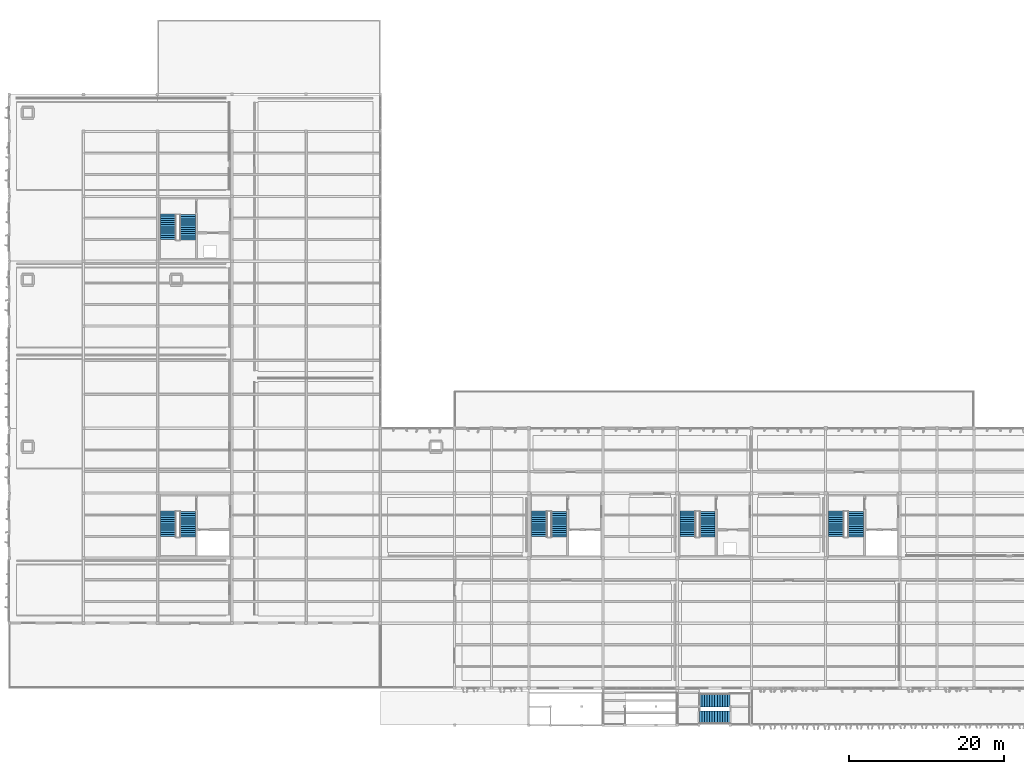
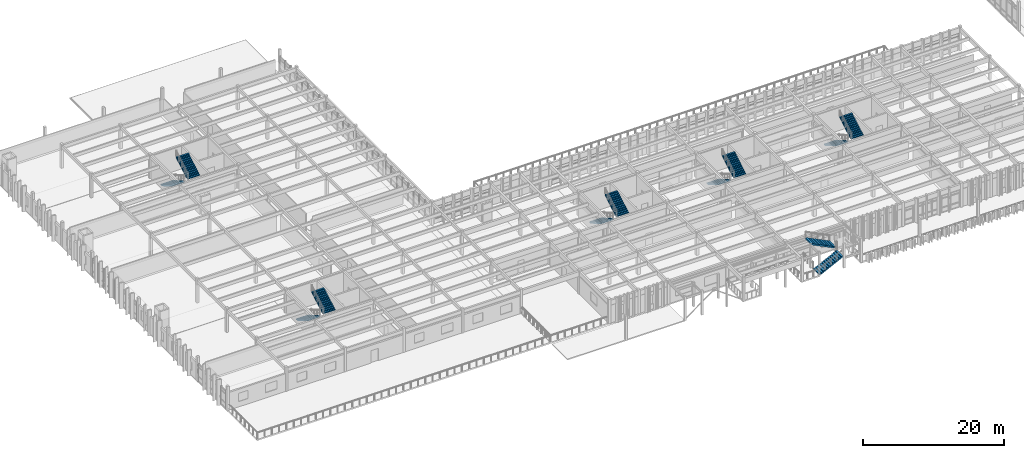
# One storey, part 48 of 61: 12 stair flights, 6 elements without a shape of their own.
"""IFC4 building model written with IfcOpenShell, lengths in metres."""

from ifc_helpers import new_model, si_unit, direction, frame, origin, place, context, subcontext, project, spatial, polyline, outline, extrude, material, type_object, element, aggregate, save


model = new_model("IFC4")

# Units and contexts
model_context = context("Model", 3, precision=1e-05, world=origin(), true_north=direction((0.0, 1.0)))
body_context = subcontext(model_context, "Body", "Model", "MODEL_VIEW")
ifc_project = project(units=[si_unit("LENGTHUNIT", "METRE"), si_unit("AREAUNIT", "SQUARE_METRE"), si_unit("VOLUMEUNIT", "CUBIC_METRE"), si_unit("PLANEANGLEUNIT", "RADIAN"), si_unit("MASSUNIT", "GRAM", prefix="KILO")], contexts=[model_context])

# Site, building, storey
site_placement = place(None, origin())
site = spatial("IfcSite", under=ifc_project, at=site_placement, CompositionType="ELEMENT")
building_placement = place(site_placement, origin())
building = spatial("IfcBuilding", under=site, at=building_placement, Name="Kolvemor Railside Polytechnic", CompositionType="ELEMENT")
storey_placement = place(building_placement, frame((0.0, 0.0, 10.199951171875)))
storey = spatial("IfcBuildingStorey", under=building, at=storey_placement, Name="L02", CompositionType="ELEMENT", Elevation=10.199951171875)

# Stair, stair flights
ifc_material_1 = material(Name="Concrete C40/50", Category="concrete")
stair_type_1 = type_object("IfcStairType", Name="STR-CORE-420", PredefinedType="HALF_TURN_STAIR", material=ifc_material_1)
stair_1_placement = place(storey_placement, origin())
stair_1 = element("IfcStair", 1, at=stair_1_placement, inside=storey, type_object=stair_type_1, Name="Core Stair ST-1 (L02 to L03)", PredefinedType="HALF_TURN_STAIR")
ifc_material_2 = material(Name="Concrete C40/50", Category="concrete")
stair_flight_type_1 = type_object("IfcStairFlightType", Name="SFL-RC-200", PredefinedType="STRAIGHT", material=ifc_material_2)
stair_flight_1_placement = place(storey_placement, frame((68.580078125, 27.699951171875, 0.0), z_axis=(0.0, 0.0, 1.0), x_axis=(0.0, -1.0, 0.0)))
stair_flight_1 = element("IfcStairFlight", 2, at=stair_flight_1_placement, type_object=stair_flight_type_1, Name="ST-1-L02 flight 1", NumberOfRisers=13, NumberOfTreads=12, PredefinedType="STRAIGHT", RiserHeight=0.161538462, TreadLength=0.275, context=body_context, shape_type="SweptSolid", body=[
    extrude(outline(polyline([(0.0, 0.0), (0.0, 0.16162109375), (0.27490234375, 0.16162109375), (0.27490234375, 0.322998046875), (0.550048828125, 0.322998046875), (0.550048828125, 0.484619140625), (0.824951171875, 0.484619140625), (0.824951171875, 0.646240234375), (1.10009765625, 0.646240234375), (1.10009765625, 0.8076171875), (1.375, 0.8076171875), (1.375, 0.96923828125), (1.64990234375, 0.96923828125), (1.64990234375, 1.130859375), (1.925048828125, 1.130859375), (1.925048828125, 1.292236328125), (2.199951171875, 1.292236328125), (2.199951171875, 1.453857421875), (2.47509765625, 1.453857421875), (2.47509765625, 1.615478515625), (2.75, 1.615478515625), (2.75, 1.77685546875), (3.02490234375, 1.77685546875), (3.02490234375, 1.9384765625), (3.300048828125, 1.9384765625), (3.300048828125, 2.10009765625), (3.300048828125, 1.729736328125), (0.355224609375, 0.0), (0.0, 0.0)])), frame((0.0, 1.0, 0.0), z_axis=(0.0, -1.0, 0.0), x_axis=(1.0, 0.0, 0.0)), (0.0, 0.0, 1.0), 2.0),
])
stair_flight_2_placement = place(storey_placement, frame((71.080078125, 24.340087890625, 2.10009765625), z_axis=(0.0, 0.0, 1.0), x_axis=(0.0, 1.0, 0.0)))
stair_flight_2 = element("IfcStairFlight", 3, at=stair_flight_2_placement, type_object=stair_flight_type_1, Name="ST-1-L02 flight 2", NumberOfRisers=13, NumberOfTreads=12, PredefinedType="STRAIGHT", RiserHeight=0.161538462, TreadLength=0.275, context=body_context, shape_type="SweptSolid", body=[
    extrude(outline(polyline([(0.0, 0.0), (0.0, 0.16162109375), (0.27490234375, 0.16162109375), (0.27490234375, 0.322998046875), (0.550048828125, 0.322998046875), (0.550048828125, 0.484619140625), (0.824951171875, 0.484619140625), (0.824951171875, 0.646240234375), (1.10009765625, 0.646240234375), (1.10009765625, 0.8076171875), (1.375, 0.8076171875), (1.375, 0.96923828125), (1.64990234375, 0.96923828125), (1.64990234375, 1.130859375), (1.925048828125, 1.130859375), (1.925048828125, 1.292236328125), (2.199951171875, 1.292236328125), (2.199951171875, 1.453857421875), (2.47509765625, 1.453857421875), (2.47509765625, 1.615478515625), (2.75, 1.615478515625), (2.75, 1.77685546875), (3.02490234375, 1.77685546875), (3.02490234375, 1.9384765625), (3.300048828125, 1.9384765625), (3.300048828125, 2.10009765625), (3.300048828125, 1.729736328125), (0.355224609375, 0.0), (0.0, 0.0)])), frame((0.0, 1.0, 0.0), z_axis=(0.0, -1.0, 0.0), x_axis=(1.0, 0.0, 0.0)), (0.0, 0.0, 1.0), 2.0),
])
aggregate(stair_1, [stair_flight_1, stair_flight_2])

stair_2_placement = place(storey_placement, origin())
stair_2 = element("IfcStair", 4, at=stair_2_placement, inside=storey, type_object=stair_type_1, Name="Core Stair ST-2 (L02 to L03)", PredefinedType="HALF_TURN_STAIR")
stair_flight_3_placement = place(storey_placement, frame((106.97998046875, 27.699951171875, 0.0), z_axis=(0.0, 0.0, 1.0), x_axis=(0.0, -1.0, 0.0)))
stair_flight_3 = element("IfcStairFlight", 5, at=stair_flight_3_placement, type_object=stair_flight_type_1, Name="ST-2-L02 flight 1", NumberOfRisers=13, NumberOfTreads=12, PredefinedType="STRAIGHT", RiserHeight=0.161538462, TreadLength=0.275, context=body_context, shape_type="SweptSolid", body=[
    extrude(outline(polyline([(0.0, 0.0), (0.0, 0.16162109375), (0.27490234375, 0.16162109375), (0.27490234375, 0.322998046875), (0.550048828125, 0.322998046875), (0.550048828125, 0.484619140625), (0.824951171875, 0.484619140625), (0.824951171875, 0.646240234375), (1.10009765625, 0.646240234375), (1.10009765625, 0.8076171875), (1.375, 0.8076171875), (1.375, 0.96923828125), (1.64990234375, 0.96923828125), (1.64990234375, 1.130859375), (1.925048828125, 1.130859375), (1.925048828125, 1.292236328125), (2.199951171875, 1.292236328125), (2.199951171875, 1.453857421875), (2.47509765625, 1.453857421875), (2.47509765625, 1.615478515625), (2.75, 1.615478515625), (2.75, 1.77685546875), (3.02490234375, 1.77685546875), (3.02490234375, 1.9384765625), (3.300048828125, 1.9384765625), (3.300048828125, 2.10009765625), (3.300048828125, 1.729736328125), (0.355224609375, 0.0), (0.0, 0.0)])), frame((0.0, 1.0, 0.0), z_axis=(0.0, -1.0, 0.0), x_axis=(1.0, 0.0, 0.0)), (0.0, 0.0, 1.0), 2.0),
])
stair_flight_4_placement = place(storey_placement, frame((109.47998046875, 24.340087890625, 2.10009765625), z_axis=(0.0, 0.0, 1.0), x_axis=(0.0, 1.0, 0.0)))
stair_flight_4 = element("IfcStairFlight", 6, at=stair_flight_4_placement, type_object=stair_flight_type_1, Name="ST-2-L02 flight 2", NumberOfRisers=13, NumberOfTreads=12, PredefinedType="STRAIGHT", RiserHeight=0.161538462, TreadLength=0.275, context=body_context, shape_type="SweptSolid", body=[
    extrude(outline(polyline([(0.0, 0.0), (0.0, 0.16162109375), (0.27490234375, 0.16162109375), (0.27490234375, 0.322998046875), (0.550048828125, 0.322998046875), (0.550048828125, 0.484619140625), (0.824951171875, 0.484619140625), (0.824951171875, 0.646240234375), (1.10009765625, 0.646240234375), (1.10009765625, 0.8076171875), (1.375, 0.8076171875), (1.375, 0.96923828125), (1.64990234375, 0.96923828125), (1.64990234375, 1.130859375), (1.925048828125, 1.130859375), (1.925048828125, 1.292236328125), (2.199951171875, 1.292236328125), (2.199951171875, 1.453857421875), (2.47509765625, 1.453857421875), (2.47509765625, 1.615478515625), (2.75, 1.615478515625), (2.75, 1.77685546875), (3.02490234375, 1.77685546875), (3.02490234375, 1.9384765625), (3.300048828125, 1.9384765625), (3.300048828125, 2.10009765625), (3.300048828125, 1.729736328125), (0.355224609375, 0.0), (0.0, 0.0)])), frame((0.0, 1.0, 0.0), z_axis=(0.0, -1.0, 0.0), x_axis=(1.0, 0.0, 0.0)), (0.0, 0.0, 1.0), 2.0),
])
aggregate(stair_2, [stair_flight_3, stair_flight_4])

stair_3_placement = place(storey_placement, origin())
stair_3 = element("IfcStair", 7, at=stair_3_placement, inside=storey, type_object=stair_type_1, Name="Core Stair ST-3 (L02 to L03)", PredefinedType="HALF_TURN_STAIR")
stair_flight_5_placement = place(storey_placement, frame((87.780029296875, 27.699951171875, 0.0), z_axis=(0.0, 0.0, 1.0), x_axis=(0.0, -1.0, 0.0)))
stair_flight_5 = element("IfcStairFlight", 8, at=stair_flight_5_placement, type_object=stair_flight_type_1, Name="ST-3-L02 flight 1", NumberOfRisers=13, NumberOfTreads=12, PredefinedType="STRAIGHT", RiserHeight=0.161538462, TreadLength=0.275, context=body_context, shape_type="SweptSolid", body=[
    extrude(outline(polyline([(0.0, 0.0), (0.0, 0.16162109375), (0.27490234375, 0.16162109375), (0.27490234375, 0.322998046875), (0.550048828125, 0.322998046875), (0.550048828125, 0.484619140625), (0.824951171875, 0.484619140625), (0.824951171875, 0.646240234375), (1.10009765625, 0.646240234375), (1.10009765625, 0.8076171875), (1.375, 0.8076171875), (1.375, 0.96923828125), (1.64990234375, 0.96923828125), (1.64990234375, 1.130859375), (1.925048828125, 1.130859375), (1.925048828125, 1.292236328125), (2.199951171875, 1.292236328125), (2.199951171875, 1.453857421875), (2.47509765625, 1.453857421875), (2.47509765625, 1.615478515625), (2.75, 1.615478515625), (2.75, 1.77685546875), (3.02490234375, 1.77685546875), (3.02490234375, 1.9384765625), (3.300048828125, 1.9384765625), (3.300048828125, 2.10009765625), (3.300048828125, 1.729736328125), (0.355224609375, 0.0), (0.0, 0.0)])), frame((0.0, 1.0, 0.0), z_axis=(0.0, -1.0, 0.0), x_axis=(1.0, 0.0, 0.0)), (0.0, 0.0, 1.0), 2.0),
])
stair_flight_6_placement = place(storey_placement, frame((90.280029296875, 24.340087890625, 2.10009765625), z_axis=(0.0, 0.0, 1.0), x_axis=(0.0, 1.0, 0.0)))
stair_flight_6 = element("IfcStairFlight", 9, at=stair_flight_6_placement, type_object=stair_flight_type_1, Name="ST-3-L02 flight 2", NumberOfRisers=13, NumberOfTreads=12, PredefinedType="STRAIGHT", RiserHeight=0.161538462, TreadLength=0.275, context=body_context, shape_type="SweptSolid", body=[
    extrude(outline(polyline([(0.0, 0.0), (0.0, 0.16162109375), (0.27490234375, 0.16162109375), (0.27490234375, 0.322998046875), (0.550048828125, 0.322998046875), (0.550048828125, 0.484619140625), (0.824951171875, 0.484619140625), (0.824951171875, 0.646240234375), (1.10009765625, 0.646240234375), (1.10009765625, 0.8076171875), (1.375, 0.8076171875), (1.375, 0.96923828125), (1.64990234375, 0.96923828125), (1.64990234375, 1.130859375), (1.925048828125, 1.130859375), (1.925048828125, 1.292236328125), (2.199951171875, 1.292236328125), (2.199951171875, 1.453857421875), (2.47509765625, 1.453857421875), (2.47509765625, 1.615478515625), (2.75, 1.615478515625), (2.75, 1.77685546875), (3.02490234375, 1.77685546875), (3.02490234375, 1.9384765625), (3.300048828125, 1.9384765625), (3.300048828125, 2.10009765625), (3.300048828125, 1.729736328125), (0.355224609375, 0.0), (0.0, 0.0)])), frame((0.0, 1.0, 0.0), z_axis=(0.0, -1.0, 0.0), x_axis=(1.0, 0.0, 0.0)), (0.0, 0.0, 1.0), 2.0),
])
aggregate(stair_3, [stair_flight_5, stair_flight_6])

stair_4_placement = place(storey_placement, origin())
stair_4 = element("IfcStair", 10, at=stair_4_placement, inside=storey, type_object=stair_type_1, Name="Core Stair ST-4 (L02 to L03)", PredefinedType="HALF_TURN_STAIR")
stair_flight_7_placement = place(storey_placement, frame((20.580078125, 27.699951171875, 0.0), z_axis=(0.0, 0.0, 1.0), x_axis=(0.0, -1.0, 0.0)))
stair_flight_7 = element("IfcStairFlight", 11, at=stair_flight_7_placement, type_object=stair_flight_type_1, Name="ST-4-L02 flight 1", NumberOfRisers=13, NumberOfTreads=12, PredefinedType="STRAIGHT", RiserHeight=0.161538462, TreadLength=0.275, context=body_context, shape_type="SweptSolid", body=[
    extrude(outline(polyline([(0.0, 0.0), (0.0, 0.16162109375), (0.27490234375, 0.16162109375), (0.27490234375, 0.322998046875), (0.550048828125, 0.322998046875), (0.550048828125, 0.484619140625), (0.824951171875, 0.484619140625), (0.824951171875, 0.646240234375), (1.10009765625, 0.646240234375), (1.10009765625, 0.8076171875), (1.375, 0.8076171875), (1.375, 0.96923828125), (1.64990234375, 0.96923828125), (1.64990234375, 1.130859375), (1.925048828125, 1.130859375), (1.925048828125, 1.292236328125), (2.199951171875, 1.292236328125), (2.199951171875, 1.453857421875), (2.47509765625, 1.453857421875), (2.47509765625, 1.615478515625), (2.75, 1.615478515625), (2.75, 1.77685546875), (3.02490234375, 1.77685546875), (3.02490234375, 1.9384765625), (3.300048828125, 1.9384765625), (3.300048828125, 2.10009765625), (3.300048828125, 1.729736328125), (0.355224609375, 0.0), (0.0, 0.0)])), frame((0.0, 1.0, 0.0), z_axis=(0.0, -1.0, 0.0), x_axis=(1.0, 0.0, 0.0)), (0.0, 0.0, 1.0), 2.0),
])
stair_flight_8_placement = place(storey_placement, frame((23.080078125, 24.340087890625, 2.10009765625), z_axis=(0.0, 0.0, 1.0), x_axis=(0.0, 1.0, 0.0)))
stair_flight_8 = element("IfcStairFlight", 12, at=stair_flight_8_placement, type_object=stair_flight_type_1, Name="ST-4-L02 flight 2", NumberOfRisers=13, NumberOfTreads=12, PredefinedType="STRAIGHT", RiserHeight=0.161538462, TreadLength=0.275, context=body_context, shape_type="SweptSolid", body=[
    extrude(outline(polyline([(0.0, 0.0), (0.0, 0.16162109375), (0.27490234375, 0.16162109375), (0.27490234375, 0.322998046875), (0.550048828125, 0.322998046875), (0.550048828125, 0.484619140625), (0.824951171875, 0.484619140625), (0.824951171875, 0.646240234375), (1.10009765625, 0.646240234375), (1.10009765625, 0.8076171875), (1.375, 0.8076171875), (1.375, 0.96923828125), (1.64990234375, 0.96923828125), (1.64990234375, 1.130859375), (1.925048828125, 1.130859375), (1.925048828125, 1.292236328125), (2.199951171875, 1.292236328125), (2.199951171875, 1.453857421875), (2.47509765625, 1.453857421875), (2.47509765625, 1.615478515625), (2.75, 1.615478515625), (2.75, 1.77685546875), (3.02490234375, 1.77685546875), (3.02490234375, 1.9384765625), (3.300048828125, 1.9384765625), (3.300048828125, 2.10009765625), (3.300048828125, 1.729736328125), (0.355224609375, 0.0), (0.0, 0.0)])), frame((0.0, 1.0, 0.0), z_axis=(0.0, -1.0, 0.0), x_axis=(1.0, 0.0, 0.0)), (0.0, 0.0, 1.0), 2.0),
])
aggregate(stair_4, [stair_flight_7, stair_flight_8])

stair_5_placement = place(storey_placement, origin())
stair_5 = element("IfcStair", 13, at=stair_5_placement, inside=storey, type_object=stair_type_1, Name="Core Stair ST-5 (L02 to L03)", PredefinedType="HALF_TURN_STAIR")
stair_flight_9_placement = place(storey_placement, frame((20.580078125, 66.10009765625, 0.0), z_axis=(0.0, 0.0, 1.0), x_axis=(0.0, -1.0, 0.0)))
stair_flight_9 = element("IfcStairFlight", 14, at=stair_flight_9_placement, type_object=stair_flight_type_1, Name="ST-5-L02 flight 1", NumberOfRisers=13, NumberOfTreads=12, PredefinedType="STRAIGHT", RiserHeight=0.161538462, TreadLength=0.275, context=body_context, shape_type="SweptSolid", body=[
    extrude(outline(polyline([(0.0, 0.0), (0.0, 0.16162109375), (0.27490234375, 0.16162109375), (0.27490234375, 0.322998046875), (0.550048828125, 0.322998046875), (0.550048828125, 0.484619140625), (0.824951171875, 0.484619140625), (0.824951171875, 0.646240234375), (1.10009765625, 0.646240234375), (1.10009765625, 0.8076171875), (1.375, 0.8076171875), (1.375, 0.96923828125), (1.64990234375, 0.96923828125), (1.64990234375, 1.130859375), (1.925048828125, 1.130859375), (1.925048828125, 1.292236328125), (2.199951171875, 1.292236328125), (2.199951171875, 1.453857421875), (2.47509765625, 1.453857421875), (2.47509765625, 1.615478515625), (2.75, 1.615478515625), (2.75, 1.77685546875), (3.02490234375, 1.77685546875), (3.02490234375, 1.9384765625), (3.300048828125, 1.9384765625), (3.300048828125, 2.10009765625), (3.300048828125, 1.729736328125), (0.355224609375, 0.0), (0.0, 0.0)])), frame((0.0, 1.0, 0.0), z_axis=(0.0, -1.0, 0.0), x_axis=(1.0, 0.0, 0.0)), (0.0, 0.0, 1.0), 2.0),
])
stair_flight_10_placement = place(storey_placement, frame((23.080078125, 62.739990234375, 2.10009765625), z_axis=(0.0, 0.0, 1.0), x_axis=(0.0, 1.0, 0.0)))
stair_flight_10 = element("IfcStairFlight", 15, at=stair_flight_10_placement, type_object=stair_flight_type_1, Name="ST-5-L02 flight 2", NumberOfRisers=13, NumberOfTreads=12, PredefinedType="STRAIGHT", RiserHeight=0.161538462, TreadLength=0.275, context=body_context, shape_type="SweptSolid", body=[
    extrude(outline(polyline([(0.0, 0.0), (0.0, 0.16162109375), (0.27490234375, 0.16162109375), (0.27490234375, 0.322998046875), (0.550048828125, 0.322998046875), (0.550048828125, 0.484619140625), (0.824951171875, 0.484619140625), (0.824951171875, 0.646240234375), (1.10009765625, 0.646240234375), (1.10009765625, 0.8076171875), (1.375, 0.8076171875), (1.375, 0.96923828125), (1.64990234375, 0.96923828125), (1.64990234375, 1.130859375), (1.925048828125, 1.130859375), (1.925048828125, 1.292236328125), (2.199951171875, 1.292236328125), (2.199951171875, 1.453857421875), (2.47509765625, 1.453857421875), (2.47509765625, 1.615478515625), (2.75, 1.615478515625), (2.75, 1.77685546875), (3.02490234375, 1.77685546875), (3.02490234375, 1.9384765625), (3.300048828125, 1.9384765625), (3.300048828125, 2.10009765625), (3.300048828125, 1.729736328125), (0.355224609375, 0.0), (0.0, 0.0)])), frame((0.0, 1.0, 0.0), z_axis=(0.0, -1.0, 0.0), x_axis=(1.0, 0.0, 0.0)), (0.0, 0.0, 1.0), 2.0),
])
aggregate(stair_5, [stair_flight_9, stair_flight_10])

ifc_material_3 = material(Name="Steel S355", Category="steel")
stair_type_2 = type_object("IfcStairType", Name="STR-EXT-ZIG", PredefinedType="HALF_TURN_STAIR", material=ifc_material_3)
stair_6_placement = place(storey_placement, origin())
stair_6 = element("IfcStair", 16, at=stair_6_placement, inside=storey, type_object=stair_type_2, Name="External Zigzag Terrace Stair (L02 to L03)", PredefinedType="HALF_TURN_STAIR")
ifc_material_4 = material(Name="Steel S355", Category="steel")
stair_flight_type_2 = type_object("IfcStairFlightType", Name="SFL-ST-168", PredefinedType="STRAIGHT", material=ifc_material_4)
stair_flight_11_placement = place(storey_placement, frame((89.300048828125, 1.0, 0.0), z_axis=(0.0, 0.0, 1.0), x_axis=(1.0, 0.0, 0.0)))
stair_flight_11 = element("IfcStairFlight", 17, at=stair_flight_11_placement, type_object=stair_flight_type_2, Name="ST-EXT-L02 flight 1", NumberOfRisers=13, NumberOfTreads=12, PredefinedType="STRAIGHT", RiserHeight=0.161538462, TreadLength=0.325, context=body_context, shape_type="SweptSolid", body=[
    extrude(outline(polyline([(0.0, 0.0), (0.0, 0.16162109375), (0.324951171875, 0.16162109375), (0.324951171875, 0.322998046875), (0.64990234375, 0.322998046875), (0.64990234375, 0.484619140625), (0.97509765625, 0.484619140625), (0.97509765625, 0.646240234375), (1.300048828125, 0.646240234375), (1.300048828125, 0.8076171875), (1.625, 0.8076171875), (1.625, 0.96923828125), (1.949951171875, 0.96923828125), (1.949951171875, 1.130859375), (2.27490234375, 1.130859375), (2.27490234375, 1.292236328125), (2.60009765625, 1.292236328125), (2.60009765625, 1.453857421875), (2.925048828125, 1.453857421875), (2.925048828125, 1.615478515625), (3.25, 1.615478515625), (3.25, 1.77685546875), (3.574951171875, 1.77685546875), (3.574951171875, 1.9384765625), (3.89990234375, 1.9384765625), (3.89990234375, 2.10009765625), (3.89990234375, 1.748779296875), (0.3818359375, 0.0), (0.0, 0.0)])), frame((0.0, 0.83984375, 0.0), z_axis=(0.0, -1.0, 0.0), x_axis=(1.0, 0.0, 0.0)), (0.0, 0.0, 1.0), 1.679931640625),
])
stair_flight_12_placement = place(storey_placement, frame((93.199951171875, 3.199951171875, 2.10009765625), z_axis=(0.0, 0.0, 1.0), x_axis=(-1.0, 0.0, 0.0)))
stair_flight_12 = element("IfcStairFlight", 18, at=stair_flight_12_placement, type_object=stair_flight_type_2, Name="ST-EXT-L02 flight 2", NumberOfRisers=13, NumberOfTreads=12, PredefinedType="STRAIGHT", RiserHeight=0.161538462, TreadLength=0.325, context=body_context, shape_type="SweptSolid", body=[
    extrude(outline(polyline([(0.0, 0.0), (0.0, 0.16162109375), (0.324951171875, 0.16162109375), (0.324951171875, 0.322998046875), (0.64990234375, 0.322998046875), (0.64990234375, 0.484619140625), (0.97509765625, 0.484619140625), (0.97509765625, 0.646240234375), (1.300048828125, 0.646240234375), (1.300048828125, 0.8076171875), (1.625, 0.8076171875), (1.625, 0.96923828125), (1.949951171875, 0.96923828125), (1.949951171875, 1.130859375), (2.27490234375, 1.130859375), (2.27490234375, 1.292236328125), (2.60009765625, 1.292236328125), (2.60009765625, 1.453857421875), (2.925048828125, 1.453857421875), (2.925048828125, 1.615478515625), (3.25, 1.615478515625), (3.25, 1.77685546875), (3.574951171875, 1.77685546875), (3.574951171875, 1.9384765625), (3.89990234375, 1.9384765625), (3.89990234375, 2.10009765625), (3.89990234375, 1.748779296875), (0.3818359375, 0.0), (0.0, 0.0)])), frame((0.0, 0.83984375, 0.0), z_axis=(0.0, -1.0, 0.0), x_axis=(1.0, 0.0, 0.0)), (0.0, 0.0, 1.0), 1.679931640625),
])
aggregate(stair_6, [stair_flight_11, stair_flight_12])

save(model, "model.ifc")
